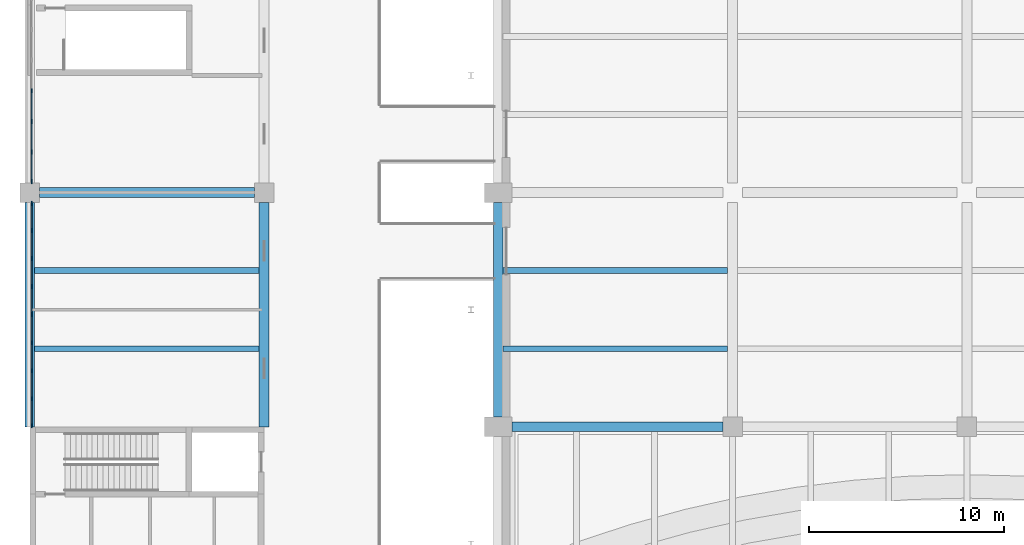
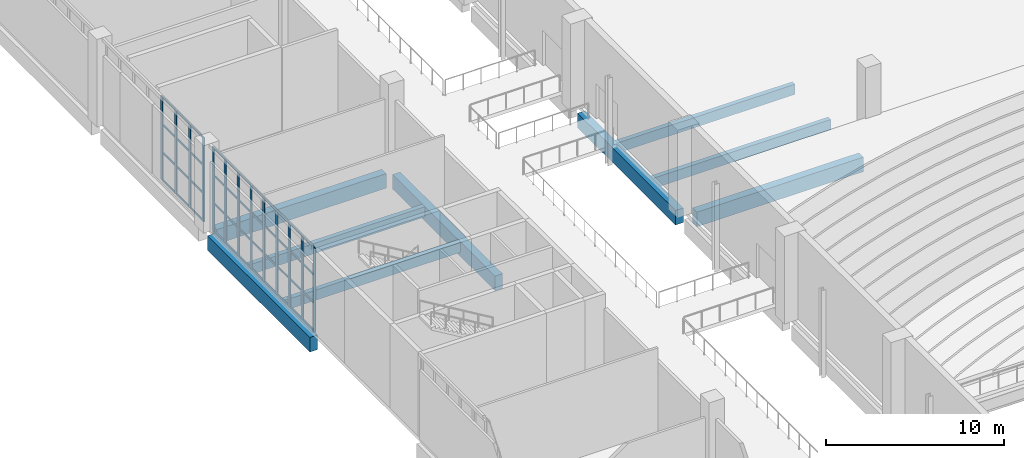
# One storey, part 27 of 72: 57 members, 9 beams, 2 elements without a shape of their own.
"""IFC4 building model written with IfcOpenShell, lengths in metres."""

from ifc_helpers import new_model, si_unit, direction, frame, origin, origin_2d, place, context, subcontext, project, spatial, rectangle, extrude, material, layer, layer_set, material_profile, profile_set, type_object, element, aggregate, save


model = new_model("IFC4")

# Units and contexts
model_context = context("Model", 3, precision=1e-05, world=origin(), true_north=direction((0.0, 1.0)))
body_context = subcontext(model_context, "Body", "Model", "MODEL_VIEW")
ifc_project = project(units=[si_unit("LENGTHUNIT", "METRE"), si_unit("AREAUNIT", "SQUARE_METRE"), si_unit("VOLUMEUNIT", "CUBIC_METRE"), si_unit("PLANEANGLEUNIT", "RADIAN"), si_unit("MASSUNIT", "GRAM", prefix="KILO")], contexts=[model_context])

# Site, building, storey
site_placement = place(None, origin())
site = spatial("IfcSite", under=ifc_project, at=site_placement, CompositionType="ELEMENT")
building_placement = place(site_placement, origin())
building = spatial("IfcBuilding", under=site, at=building_placement, Name="Lilac Gate Convention Centre", CompositionType="ELEMENT")
storey_placement = place(building_placement, frame((0.0, 0.0, 6.0)))
storey = spatial("IfcBuildingStorey", under=building, at=storey_placement, Name="L01", CompositionType="ELEMENT", Elevation=6.0)

# Curtain wall, members
ifc_material_1 = material(Name="Aluminium framed double glazing", Category="aluminium")
ifc_layer = layer(ifc_material_1, 0.199951171875)
ifc_layer_set = layer_set([ifc_layer], Name="Aluminium framed double glazing")
curtain_wall_type = type_object("IfcCurtainWallType", Name="Unitised curtain wall 1500", PredefinedType="NOTDEFINED", material=ifc_layer_set)
curtain_wall_1_placement = place(storey_placement, origin())
curtain_wall_1 = element("IfcCurtainWall", 1, at=curtain_wall_1_placement, inside=storey, type_object=curtain_wall_type, Name="Curtain wall PW L01 3", PredefinedType="NOTDEFINED")
ifc_material_2 = material(Name="Aluminium alloy 6063", Category="aluminium")
ifc_material_profile_1 = material_profile(ifc_material_2, rectangle(XDim=0.06005859375, YDim=0.219970703125, at=origin_2d()), Name="Curtain wall mullion 60 x 220")
ifc_profile_set_1 = profile_set([ifc_material_profile_1], Name="Aluminium alloy 6063")
member_type_1 = type_object("IfcMemberType", Name="Curtain wall mullion 60 x 220", PredefinedType="MULLION", material=ifc_profile_set_1)
member_1_placement = place(storey_placement, frame((6.10009765625, 179.21435546875, 0.0), z_axis=(0.0, 0.0, 1.0), x_axis=(1.0, 0.0, 0.0)))
member_1 = element("IfcMember", 2, at=member_1_placement, type_object=member_type_1, Name="CW mullion 5", PredefinedType="MULLION", context=body_context, shape_type="SweptSolid", body=[
    extrude(rectangle(XDim=0.06005859375, YDim=0.219970703125, at=origin_2d()), origin(), (0.0, 0.0, 1.0), 5.75),
])
member_2_placement = place(storey_placement, frame((6.10009765625, 177.642822265625, 0.0), z_axis=(0.0, 0.0, 1.0), x_axis=(1.0, 0.0, 0.0)))
member_2 = element("IfcMember", 3, at=member_2_placement, type_object=member_type_1, Name="CW mullion 6", PredefinedType="MULLION", context=body_context, shape_type="SweptSolid", body=[
    extrude(rectangle(XDim=0.06005859375, YDim=0.219970703125, at=origin_2d()), origin(), (0.0, 0.0, 1.0), 5.75),
])
member_3_placement = place(storey_placement, frame((6.10009765625, 176.071533203125, 0.0), z_axis=(0.0, 0.0, 1.0), x_axis=(1.0, 0.0, 0.0)))
member_3 = element("IfcMember", 4, at=member_3_placement, type_object=member_type_1, Name="CW mullion 7", PredefinedType="MULLION", context=body_context, shape_type="SweptSolid", body=[
    extrude(rectangle(XDim=0.06005859375, YDim=0.219970703125, at=origin_2d()), origin(), (0.0, 0.0, 1.0), 5.75),
])
member_4_placement = place(storey_placement, frame((6.10009765625, 174.56005859375, 0.0), z_axis=(0.0, 0.0, 1.0), x_axis=(1.0, 0.0, 0.0)))
member_4 = element("IfcMember", 5, at=member_4_placement, type_object=member_type_1, Name="CW mullion 8", PredefinedType="MULLION", context=body_context, shape_type="SweptSolid", body=[
    extrude(rectangle(XDim=0.06005859375, YDim=0.219970703125, at=origin_2d()), origin(), (0.0, 0.0, 1.0), 5.75),
])

curtain_wall_2_placement = place(storey_placement, origin())
curtain_wall_2 = element("IfcCurtainWall", 6, at=curtain_wall_2_placement, inside=storey, type_object=curtain_wall_type, Name="Curtain wall PW L01 4", PredefinedType="NOTDEFINED")
member_5_placement = place(storey_placement, frame((6.10009765625, 173.43994140625, 0.0), z_axis=(0.0, 0.0, 1.0), x_axis=(1.0, 0.0, 0.0)))
member_5 = element("IfcMember", 7, at=member_5_placement, type_object=member_type_1, Name="CW mullion 1", PredefinedType="MULLION", context=body_context, shape_type="SweptSolid", body=[
    extrude(rectangle(XDim=0.06005859375, YDim=0.219970703125, at=origin_2d()), origin(), (0.0, 0.0, 1.0), 5.75),
])
member_6_placement = place(storey_placement, frame((6.10009765625, 172.0625, 0.0), z_axis=(0.0, 0.0, 1.0), x_axis=(1.0, 0.0, 0.0)))
member_6 = element("IfcMember", 8, at=member_6_placement, type_object=member_type_1, Name="CW mullion 2", PredefinedType="MULLION", context=body_context, shape_type="SweptSolid", body=[
    extrude(rectangle(XDim=0.06005859375, YDim=0.219970703125, at=origin_2d()), origin(), (0.0, 0.0, 1.0), 5.75),
])
member_7_placement = place(storey_placement, frame((6.10009765625, 170.625, 0.0), z_axis=(0.0, 0.0, 1.0), x_axis=(1.0, 0.0, 0.0)))
member_7 = element("IfcMember", 9, at=member_7_placement, type_object=member_type_1, Name="CW mullion 3", PredefinedType="MULLION", context=body_context, shape_type="SweptSolid", body=[
    extrude(rectangle(XDim=0.06005859375, YDim=0.219970703125, at=origin_2d()), origin(), (0.0, 0.0, 1.0), 5.75),
])
member_8_placement = place(storey_placement, frame((6.10009765625, 169.1875, 0.0), z_axis=(0.0, 0.0, 1.0), x_axis=(1.0, 0.0, 0.0)))
member_8 = element("IfcMember", 10, at=member_8_placement, type_object=member_type_1, Name="CW mullion 4", PredefinedType="MULLION", context=body_context, shape_type="SweptSolid", body=[
    extrude(rectangle(XDim=0.06005859375, YDim=0.219970703125, at=origin_2d()), origin(), (0.0, 0.0, 1.0), 5.75),
])
member_9_placement = place(storey_placement, frame((6.10009765625, 167.75, 0.0), z_axis=(0.0, 0.0, 1.0), x_axis=(1.0, 0.0, 0.0)))
member_9 = element("IfcMember", 11, at=member_9_placement, type_object=member_type_1, Name="CW mullion 5", PredefinedType="MULLION", context=body_context, shape_type="SweptSolid", body=[
    extrude(rectangle(XDim=0.06005859375, YDim=0.219970703125, at=origin_2d()), origin(), (0.0, 0.0, 1.0), 5.75),
])
member_10_placement = place(storey_placement, frame((6.10009765625, 166.3125, 0.0), z_axis=(0.0, 0.0, 1.0), x_axis=(1.0, 0.0, 0.0)))
member_10 = element("IfcMember", 12, at=member_10_placement, type_object=member_type_1, Name="CW mullion 6", PredefinedType="MULLION", context=body_context, shape_type="SweptSolid", body=[
    extrude(rectangle(XDim=0.06005859375, YDim=0.219970703125, at=origin_2d()), origin(), (0.0, 0.0, 1.0), 5.75),
])
member_11_placement = place(storey_placement, frame((6.10009765625, 164.875, 0.0), z_axis=(0.0, 0.0, 1.0), x_axis=(1.0, 0.0, 0.0)))
member_11 = element("IfcMember", 13, at=member_11_placement, type_object=member_type_1, Name="CW mullion 7", PredefinedType="MULLION", context=body_context, shape_type="SweptSolid", body=[
    extrude(rectangle(XDim=0.06005859375, YDim=0.219970703125, at=origin_2d()), origin(), (0.0, 0.0, 1.0), 5.75),
])
member_12_placement = place(storey_placement, frame((6.10009765625, 163.4375, 0.0), z_axis=(0.0, 0.0, 1.0), x_axis=(1.0, 0.0, 0.0)))
member_12 = element("IfcMember", 14, at=member_12_placement, type_object=member_type_1, Name="CW mullion 8", PredefinedType="MULLION", context=body_context, shape_type="SweptSolid", body=[
    extrude(rectangle(XDim=0.06005859375, YDim=0.219970703125, at=origin_2d()), origin(), (0.0, 0.0, 1.0), 5.75),
])
member_13_placement = place(storey_placement, frame((6.10009765625, 162.06005859375, 0.0), z_axis=(0.0, 0.0, 1.0), x_axis=(1.0, 0.0, 0.0)))
member_13 = element("IfcMember", 15, at=member_13_placement, type_object=member_type_1, Name="CW mullion 9", PredefinedType="MULLION", context=body_context, shape_type="SweptSolid", body=[
    extrude(rectangle(XDim=0.06005859375, YDim=0.219970703125, at=origin_2d()), origin(), (0.0, 0.0, 1.0), 5.75),
])

# Member
ifc_material_profile_2 = material_profile(ifc_material_2, rectangle(XDim=0.06005859375, YDim=0.1201171875, at=origin_2d()), Name="Curtain wall transom 60 x 120")
ifc_profile_set_2 = profile_set([ifc_material_profile_2], Name="Aluminium alloy 6063")
member_type_2 = type_object("IfcMemberType", Name="Curtain wall transom 60 x 120", PredefinedType="USERDEFINED", material=ifc_profile_set_2)
member_14_placement = place(storey_placement, frame((6.10009765625, 179.184326171875, 0.030029296875), z_axis=(0.0, -1.0, 0.0), x_axis=(1.0, 0.0, 0.0)))
member_14 = element("IfcMember", 16, at=member_14_placement, type_object=member_type_2, Name="CW transom 5.1", ObjectType="TRANSOM", PredefinedType="USERDEFINED", context=body_context, shape_type="SweptSolid", body=[
    extrude(rectangle(XDim=0.06005859375, YDim=0.1201171875, at=origin_2d()), origin(), (0.0, 0.0, 1.0), 1.511474609375),
])

member_15_placement = place(storey_placement, frame((6.10009765625, 179.184326171875, 1.916748046875), z_axis=(0.0, -1.0, 0.0), x_axis=(1.0, 0.0, 0.0)))
member_15 = element("IfcMember", 17, at=member_15_placement, type_object=member_type_2, Name="CW transom 5.2", ObjectType="TRANSOM", PredefinedType="USERDEFINED", context=body_context, shape_type="SweptSolid", body=[
    extrude(rectangle(XDim=0.06005859375, YDim=0.1201171875, at=origin_2d()), origin(), (0.0, 0.0, 1.0), 1.511474609375),
])

member_16_placement = place(storey_placement, frame((6.10009765625, 179.184326171875, 3.833251953125), z_axis=(0.0, -1.0, 0.0), x_axis=(1.0, 0.0, 0.0)))
member_16 = element("IfcMember", 18, at=member_16_placement, type_object=member_type_2, Name="CW transom 5.3", ObjectType="TRANSOM", PredefinedType="USERDEFINED", context=body_context, shape_type="SweptSolid", body=[
    extrude(rectangle(XDim=0.06005859375, YDim=0.1201171875, at=origin_2d()), origin(), (0.0, 0.0, 1.0), 1.511474609375),
])

member_17_placement = place(storey_placement, frame((6.10009765625, 179.184326171875, 5.719970703125), z_axis=(0.0, -1.0, 0.0), x_axis=(1.0, 0.0, 0.0)))
member_17 = element("IfcMember", 19, at=member_17_placement, type_object=member_type_2, Name="CW transom 5.4", ObjectType="TRANSOM", PredefinedType="USERDEFINED", context=body_context, shape_type="SweptSolid", body=[
    extrude(rectangle(XDim=0.06005859375, YDim=0.1201171875, at=origin_2d()), origin(), (0.0, 0.0, 1.0), 1.511474609375),
])

member_18_placement = place(storey_placement, frame((6.10009765625, 177.61279296875, 0.030029296875), z_axis=(0.0, -1.0, 0.0), x_axis=(1.0, 0.0, 0.0)))
member_18 = element("IfcMember", 20, at=member_18_placement, type_object=member_type_2, Name="CW transom 6.1", ObjectType="TRANSOM", PredefinedType="USERDEFINED", context=body_context, shape_type="SweptSolid", body=[
    extrude(rectangle(XDim=0.06005859375, YDim=0.1201171875, at=origin_2d()), origin(), (0.0, 0.0, 1.0), 1.511474609375),
])

member_19_placement = place(storey_placement, frame((6.10009765625, 177.61279296875, 1.916748046875), z_axis=(0.0, -1.0, 0.0), x_axis=(1.0, 0.0, 0.0)))
member_19 = element("IfcMember", 21, at=member_19_placement, type_object=member_type_2, Name="CW transom 6.2", ObjectType="TRANSOM", PredefinedType="USERDEFINED", context=body_context, shape_type="SweptSolid", body=[
    extrude(rectangle(XDim=0.06005859375, YDim=0.1201171875, at=origin_2d()), origin(), (0.0, 0.0, 1.0), 1.511474609375),
])

member_20_placement = place(storey_placement, frame((6.10009765625, 177.61279296875, 3.833251953125), z_axis=(0.0, -1.0, 0.0), x_axis=(1.0, 0.0, 0.0)))
member_20 = element("IfcMember", 22, at=member_20_placement, type_object=member_type_2, Name="CW transom 6.3", ObjectType="TRANSOM", PredefinedType="USERDEFINED", context=body_context, shape_type="SweptSolid", body=[
    extrude(rectangle(XDim=0.06005859375, YDim=0.1201171875, at=origin_2d()), origin(), (0.0, 0.0, 1.0), 1.511474609375),
])

member_21_placement = place(storey_placement, frame((6.10009765625, 177.61279296875, 5.719970703125), z_axis=(0.0, -1.0, 0.0), x_axis=(1.0, 0.0, 0.0)))
member_21 = element("IfcMember", 23, at=member_21_placement, type_object=member_type_2, Name="CW transom 6.4", ObjectType="TRANSOM", PredefinedType="USERDEFINED", context=body_context, shape_type="SweptSolid", body=[
    extrude(rectangle(XDim=0.06005859375, YDim=0.1201171875, at=origin_2d()), origin(), (0.0, 0.0, 1.0), 1.511474609375),
])

member_22_placement = place(storey_placement, frame((6.10009765625, 176.04150390625, 0.030029296875), z_axis=(0.0, -1.0, 0.0), x_axis=(1.0, 0.0, 0.0)))
member_22 = element("IfcMember", 24, at=member_22_placement, type_object=member_type_2, Name="CW transom 7.1", ObjectType="TRANSOM", PredefinedType="USERDEFINED", context=body_context, shape_type="SweptSolid", body=[
    extrude(rectangle(XDim=0.06005859375, YDim=0.1201171875, at=origin_2d()), origin(), (0.0, 0.0, 1.0), 1.4814453125),
])

member_23_placement = place(storey_placement, frame((6.10009765625, 176.04150390625, 1.916748046875), z_axis=(0.0, -1.0, 0.0), x_axis=(1.0, 0.0, 0.0)))
member_23 = element("IfcMember", 25, at=member_23_placement, type_object=member_type_2, Name="CW transom 7.2", ObjectType="TRANSOM", PredefinedType="USERDEFINED", context=body_context, shape_type="SweptSolid", body=[
    extrude(rectangle(XDim=0.06005859375, YDim=0.1201171875, at=origin_2d()), origin(), (0.0, 0.0, 1.0), 1.4814453125),
])

member_24_placement = place(storey_placement, frame((6.10009765625, 176.04150390625, 3.833251953125), z_axis=(0.0, -1.0, 0.0), x_axis=(1.0, 0.0, 0.0)))
member_24 = element("IfcMember", 26, at=member_24_placement, type_object=member_type_2, Name="CW transom 7.3", ObjectType="TRANSOM", PredefinedType="USERDEFINED", context=body_context, shape_type="SweptSolid", body=[
    extrude(rectangle(XDim=0.06005859375, YDim=0.1201171875, at=origin_2d()), origin(), (0.0, 0.0, 1.0), 1.4814453125),
])

member_25_placement = place(storey_placement, frame((6.10009765625, 176.04150390625, 5.719970703125), z_axis=(0.0, -1.0, 0.0), x_axis=(1.0, 0.0, 0.0)))
member_25 = element("IfcMember", 27, at=member_25_placement, type_object=member_type_2, Name="CW transom 7.4", ObjectType="TRANSOM", PredefinedType="USERDEFINED", context=body_context, shape_type="SweptSolid", body=[
    extrude(rectangle(XDim=0.06005859375, YDim=0.1201171875, at=origin_2d()), origin(), (0.0, 0.0, 1.0), 1.4814453125),
])

aggregate(curtain_wall_1, [member_1, member_2, member_3, member_4, member_14, member_15, member_16, member_17, member_18, member_19, member_20, member_21, member_22, member_23, member_24, member_25])

member_26_placement = place(storey_placement, frame((6.10009765625, 173.43994140625, 0.030029296875), z_axis=(0.0, -1.0, 0.0), x_axis=(1.0, 0.0, 0.0)))
member_26 = element("IfcMember", 28, at=member_26_placement, type_object=member_type_2, Name="CW transom 1.1", ObjectType="TRANSOM", PredefinedType="USERDEFINED", context=body_context, shape_type="SweptSolid", body=[
    extrude(rectangle(XDim=0.06005859375, YDim=0.1201171875, at=origin_2d()), origin(), (0.0, 0.0, 1.0), 1.347412109375),
])

member_27_placement = place(storey_placement, frame((6.10009765625, 173.43994140625, 1.916748046875), z_axis=(0.0, -1.0, 0.0), x_axis=(1.0, 0.0, 0.0)))
member_27 = element("IfcMember", 29, at=member_27_placement, type_object=member_type_2, Name="CW transom 1.2", ObjectType="TRANSOM", PredefinedType="USERDEFINED", context=body_context, shape_type="SweptSolid", body=[
    extrude(rectangle(XDim=0.06005859375, YDim=0.1201171875, at=origin_2d()), origin(), (0.0, 0.0, 1.0), 1.347412109375),
])

member_28_placement = place(storey_placement, frame((6.10009765625, 173.43994140625, 3.833251953125), z_axis=(0.0, -1.0, 0.0), x_axis=(1.0, 0.0, 0.0)))
member_28 = element("IfcMember", 30, at=member_28_placement, type_object=member_type_2, Name="CW transom 1.3", ObjectType="TRANSOM", PredefinedType="USERDEFINED", context=body_context, shape_type="SweptSolid", body=[
    extrude(rectangle(XDim=0.06005859375, YDim=0.1201171875, at=origin_2d()), origin(), (0.0, 0.0, 1.0), 1.347412109375),
])

member_29_placement = place(storey_placement, frame((6.10009765625, 173.43994140625, 5.719970703125), z_axis=(0.0, -1.0, 0.0), x_axis=(1.0, 0.0, 0.0)))
member_29 = element("IfcMember", 31, at=member_29_placement, type_object=member_type_2, Name="CW transom 1.4", ObjectType="TRANSOM", PredefinedType="USERDEFINED", context=body_context, shape_type="SweptSolid", body=[
    extrude(rectangle(XDim=0.06005859375, YDim=0.1201171875, at=origin_2d()), origin(), (0.0, 0.0, 1.0), 1.347412109375),
])

member_30_placement = place(storey_placement, frame((6.10009765625, 172.032470703125, 0.030029296875), z_axis=(0.0, -1.0, 0.0), x_axis=(1.0, 0.0, 0.0)))
member_30 = element("IfcMember", 32, at=member_30_placement, type_object=member_type_2, Name="CW transom 2.1", ObjectType="TRANSOM", PredefinedType="USERDEFINED", context=body_context, shape_type="SweptSolid", body=[
    extrude(rectangle(XDim=0.06005859375, YDim=0.1201171875, at=origin_2d()), origin(), (0.0, 0.0, 1.0), 1.37744140625),
])

member_31_placement = place(storey_placement, frame((6.10009765625, 172.032470703125, 1.916748046875), z_axis=(0.0, -1.0, 0.0), x_axis=(1.0, 0.0, 0.0)))
member_31 = element("IfcMember", 33, at=member_31_placement, type_object=member_type_2, Name="CW transom 2.2", ObjectType="TRANSOM", PredefinedType="USERDEFINED", context=body_context, shape_type="SweptSolid", body=[
    extrude(rectangle(XDim=0.06005859375, YDim=0.1201171875, at=origin_2d()), origin(), (0.0, 0.0, 1.0), 1.37744140625),
])

member_32_placement = place(storey_placement, frame((6.10009765625, 172.032470703125, 3.833251953125), z_axis=(0.0, -1.0, 0.0), x_axis=(1.0, 0.0, 0.0)))
member_32 = element("IfcMember", 34, at=member_32_placement, type_object=member_type_2, Name="CW transom 2.3", ObjectType="TRANSOM", PredefinedType="USERDEFINED", context=body_context, shape_type="SweptSolid", body=[
    extrude(rectangle(XDim=0.06005859375, YDim=0.1201171875, at=origin_2d()), origin(), (0.0, 0.0, 1.0), 1.37744140625),
])

member_33_placement = place(storey_placement, frame((6.10009765625, 172.032470703125, 5.719970703125), z_axis=(0.0, -1.0, 0.0), x_axis=(1.0, 0.0, 0.0)))
member_33 = element("IfcMember", 35, at=member_33_placement, type_object=member_type_2, Name="CW transom 2.4", ObjectType="TRANSOM", PredefinedType="USERDEFINED", context=body_context, shape_type="SweptSolid", body=[
    extrude(rectangle(XDim=0.06005859375, YDim=0.1201171875, at=origin_2d()), origin(), (0.0, 0.0, 1.0), 1.37744140625),
])

member_34_placement = place(storey_placement, frame((6.10009765625, 170.594970703125, 0.030029296875), z_axis=(0.0, -1.0, 0.0), x_axis=(1.0, 0.0, 0.0)))
member_34 = element("IfcMember", 36, at=member_34_placement, type_object=member_type_2, Name="CW transom 3.1", ObjectType="TRANSOM", PredefinedType="USERDEFINED", context=body_context, shape_type="SweptSolid", body=[
    extrude(rectangle(XDim=0.06005859375, YDim=0.1201171875, at=origin_2d()), origin(), (0.0, 0.0, 1.0), 1.37744140625),
])

member_35_placement = place(storey_placement, frame((6.10009765625, 170.594970703125, 1.916748046875), z_axis=(0.0, -1.0, 0.0), x_axis=(1.0, 0.0, 0.0)))
member_35 = element("IfcMember", 37, at=member_35_placement, type_object=member_type_2, Name="CW transom 3.2", ObjectType="TRANSOM", PredefinedType="USERDEFINED", context=body_context, shape_type="SweptSolid", body=[
    extrude(rectangle(XDim=0.06005859375, YDim=0.1201171875, at=origin_2d()), origin(), (0.0, 0.0, 1.0), 1.37744140625),
])

member_36_placement = place(storey_placement, frame((6.10009765625, 170.594970703125, 3.833251953125), z_axis=(0.0, -1.0, 0.0), x_axis=(1.0, 0.0, 0.0)))
member_36 = element("IfcMember", 38, at=member_36_placement, type_object=member_type_2, Name="CW transom 3.3", ObjectType="TRANSOM", PredefinedType="USERDEFINED", context=body_context, shape_type="SweptSolid", body=[
    extrude(rectangle(XDim=0.06005859375, YDim=0.1201171875, at=origin_2d()), origin(), (0.0, 0.0, 1.0), 1.37744140625),
])

member_37_placement = place(storey_placement, frame((6.10009765625, 170.594970703125, 5.719970703125), z_axis=(0.0, -1.0, 0.0), x_axis=(1.0, 0.0, 0.0)))
member_37 = element("IfcMember", 39, at=member_37_placement, type_object=member_type_2, Name="CW transom 3.4", ObjectType="TRANSOM", PredefinedType="USERDEFINED", context=body_context, shape_type="SweptSolid", body=[
    extrude(rectangle(XDim=0.06005859375, YDim=0.1201171875, at=origin_2d()), origin(), (0.0, 0.0, 1.0), 1.37744140625),
])

member_38_placement = place(storey_placement, frame((6.10009765625, 169.157470703125, 0.030029296875), z_axis=(0.0, -1.0, 0.0), x_axis=(1.0, 0.0, 0.0)))
member_38 = element("IfcMember", 40, at=member_38_placement, type_object=member_type_2, Name="CW transom 4.1", ObjectType="TRANSOM", PredefinedType="USERDEFINED", context=body_context, shape_type="SweptSolid", body=[
    extrude(rectangle(XDim=0.06005859375, YDim=0.1201171875, at=origin_2d()), origin(), (0.0, 0.0, 1.0), 1.37744140625),
])

member_39_placement = place(storey_placement, frame((6.10009765625, 169.157470703125, 1.916748046875), z_axis=(0.0, -1.0, 0.0), x_axis=(1.0, 0.0, 0.0)))
member_39 = element("IfcMember", 41, at=member_39_placement, type_object=member_type_2, Name="CW transom 4.2", ObjectType="TRANSOM", PredefinedType="USERDEFINED", context=body_context, shape_type="SweptSolid", body=[
    extrude(rectangle(XDim=0.06005859375, YDim=0.1201171875, at=origin_2d()), origin(), (0.0, 0.0, 1.0), 1.37744140625),
])

member_40_placement = place(storey_placement, frame((6.10009765625, 169.157470703125, 3.833251953125), z_axis=(0.0, -1.0, 0.0), x_axis=(1.0, 0.0, 0.0)))
member_40 = element("IfcMember", 42, at=member_40_placement, type_object=member_type_2, Name="CW transom 4.3", ObjectType="TRANSOM", PredefinedType="USERDEFINED", context=body_context, shape_type="SweptSolid", body=[
    extrude(rectangle(XDim=0.06005859375, YDim=0.1201171875, at=origin_2d()), origin(), (0.0, 0.0, 1.0), 1.37744140625),
])

member_41_placement = place(storey_placement, frame((6.10009765625, 169.157470703125, 5.719970703125), z_axis=(0.0, -1.0, 0.0), x_axis=(1.0, 0.0, 0.0)))
member_41 = element("IfcMember", 43, at=member_41_placement, type_object=member_type_2, Name="CW transom 4.4", ObjectType="TRANSOM", PredefinedType="USERDEFINED", context=body_context, shape_type="SweptSolid", body=[
    extrude(rectangle(XDim=0.06005859375, YDim=0.1201171875, at=origin_2d()), origin(), (0.0, 0.0, 1.0), 1.37744140625),
])

member_42_placement = place(storey_placement, frame((6.10009765625, 167.719970703125, 0.030029296875), z_axis=(0.0, -1.0, 0.0), x_axis=(1.0, 0.0, 0.0)))
member_42 = element("IfcMember", 44, at=member_42_placement, type_object=member_type_2, Name="CW transom 5.1", ObjectType="TRANSOM", PredefinedType="USERDEFINED", context=body_context, shape_type="SweptSolid", body=[
    extrude(rectangle(XDim=0.06005859375, YDim=0.1201171875, at=origin_2d()), origin(), (0.0, 0.0, 1.0), 1.37744140625),
])

member_43_placement = place(storey_placement, frame((6.10009765625, 167.719970703125, 1.916748046875), z_axis=(0.0, -1.0, 0.0), x_axis=(1.0, 0.0, 0.0)))
member_43 = element("IfcMember", 45, at=member_43_placement, type_object=member_type_2, Name="CW transom 5.2", ObjectType="TRANSOM", PredefinedType="USERDEFINED", context=body_context, shape_type="SweptSolid", body=[
    extrude(rectangle(XDim=0.06005859375, YDim=0.1201171875, at=origin_2d()), origin(), (0.0, 0.0, 1.0), 1.37744140625),
])

member_44_placement = place(storey_placement, frame((6.10009765625, 167.719970703125, 3.833251953125), z_axis=(0.0, -1.0, 0.0), x_axis=(1.0, 0.0, 0.0)))
member_44 = element("IfcMember", 46, at=member_44_placement, type_object=member_type_2, Name="CW transom 5.3", ObjectType="TRANSOM", PredefinedType="USERDEFINED", context=body_context, shape_type="SweptSolid", body=[
    extrude(rectangle(XDim=0.06005859375, YDim=0.1201171875, at=origin_2d()), origin(), (0.0, 0.0, 1.0), 1.37744140625),
])

member_45_placement = place(storey_placement, frame((6.10009765625, 167.719970703125, 5.719970703125), z_axis=(0.0, -1.0, 0.0), x_axis=(1.0, 0.0, 0.0)))
member_45 = element("IfcMember", 47, at=member_45_placement, type_object=member_type_2, Name="CW transom 5.4", ObjectType="TRANSOM", PredefinedType="USERDEFINED", context=body_context, shape_type="SweptSolid", body=[
    extrude(rectangle(XDim=0.06005859375, YDim=0.1201171875, at=origin_2d()), origin(), (0.0, 0.0, 1.0), 1.37744140625),
])

member_46_placement = place(storey_placement, frame((6.10009765625, 166.282470703125, 0.030029296875), z_axis=(0.0, -1.0, 0.0), x_axis=(1.0, 0.0, 0.0)))
member_46 = element("IfcMember", 48, at=member_46_placement, type_object=member_type_2, Name="CW transom 6.1", ObjectType="TRANSOM", PredefinedType="USERDEFINED", context=body_context, shape_type="SweptSolid", body=[
    extrude(rectangle(XDim=0.06005859375, YDim=0.1201171875, at=origin_2d()), origin(), (0.0, 0.0, 1.0), 1.37744140625),
])

member_47_placement = place(storey_placement, frame((6.10009765625, 166.282470703125, 1.916748046875), z_axis=(0.0, -1.0, 0.0), x_axis=(1.0, 0.0, 0.0)))
member_47 = element("IfcMember", 49, at=member_47_placement, type_object=member_type_2, Name="CW transom 6.2", ObjectType="TRANSOM", PredefinedType="USERDEFINED", context=body_context, shape_type="SweptSolid", body=[
    extrude(rectangle(XDim=0.06005859375, YDim=0.1201171875, at=origin_2d()), origin(), (0.0, 0.0, 1.0), 1.37744140625),
])

member_48_placement = place(storey_placement, frame((6.10009765625, 166.282470703125, 3.833251953125), z_axis=(0.0, -1.0, 0.0), x_axis=(1.0, 0.0, 0.0)))
member_48 = element("IfcMember", 50, at=member_48_placement, type_object=member_type_2, Name="CW transom 6.3", ObjectType="TRANSOM", PredefinedType="USERDEFINED", context=body_context, shape_type="SweptSolid", body=[
    extrude(rectangle(XDim=0.06005859375, YDim=0.1201171875, at=origin_2d()), origin(), (0.0, 0.0, 1.0), 1.37744140625),
])

member_49_placement = place(storey_placement, frame((6.10009765625, 166.282470703125, 5.719970703125), z_axis=(0.0, -1.0, 0.0), x_axis=(1.0, 0.0, 0.0)))
member_49 = element("IfcMember", 51, at=member_49_placement, type_object=member_type_2, Name="CW transom 6.4", ObjectType="TRANSOM", PredefinedType="USERDEFINED", context=body_context, shape_type="SweptSolid", body=[
    extrude(rectangle(XDim=0.06005859375, YDim=0.1201171875, at=origin_2d()), origin(), (0.0, 0.0, 1.0), 1.37744140625),
])

member_50_placement = place(storey_placement, frame((6.10009765625, 164.844970703125, 0.030029296875), z_axis=(0.0, -1.0, 0.0), x_axis=(1.0, 0.0, 0.0)))
member_50 = element("IfcMember", 52, at=member_50_placement, type_object=member_type_2, Name="CW transom 7.1", ObjectType="TRANSOM", PredefinedType="USERDEFINED", context=body_context, shape_type="SweptSolid", body=[
    extrude(rectangle(XDim=0.06005859375, YDim=0.1201171875, at=origin_2d()), origin(), (0.0, 0.0, 1.0), 1.37744140625),
])

member_51_placement = place(storey_placement, frame((6.10009765625, 164.844970703125, 1.916748046875), z_axis=(0.0, -1.0, 0.0), x_axis=(1.0, 0.0, 0.0)))
member_51 = element("IfcMember", 53, at=member_51_placement, type_object=member_type_2, Name="CW transom 7.2", ObjectType="TRANSOM", PredefinedType="USERDEFINED", context=body_context, shape_type="SweptSolid", body=[
    extrude(rectangle(XDim=0.06005859375, YDim=0.1201171875, at=origin_2d()), origin(), (0.0, 0.0, 1.0), 1.37744140625),
])

member_52_placement = place(storey_placement, frame((6.10009765625, 164.844970703125, 3.833251953125), z_axis=(0.0, -1.0, 0.0), x_axis=(1.0, 0.0, 0.0)))
member_52 = element("IfcMember", 54, at=member_52_placement, type_object=member_type_2, Name="CW transom 7.3", ObjectType="TRANSOM", PredefinedType="USERDEFINED", context=body_context, shape_type="SweptSolid", body=[
    extrude(rectangle(XDim=0.06005859375, YDim=0.1201171875, at=origin_2d()), origin(), (0.0, 0.0, 1.0), 1.37744140625),
])

member_53_placement = place(storey_placement, frame((6.10009765625, 164.844970703125, 5.719970703125), z_axis=(0.0, -1.0, 0.0), x_axis=(1.0, 0.0, 0.0)))
member_53 = element("IfcMember", 55, at=member_53_placement, type_object=member_type_2, Name="CW transom 7.4", ObjectType="TRANSOM", PredefinedType="USERDEFINED", context=body_context, shape_type="SweptSolid", body=[
    extrude(rectangle(XDim=0.06005859375, YDim=0.1201171875, at=origin_2d()), origin(), (0.0, 0.0, 1.0), 1.37744140625),
])

member_54_placement = place(storey_placement, frame((6.10009765625, 163.407470703125, 0.030029296875), z_axis=(0.0, -1.0, 0.0), x_axis=(1.0, 0.0, 0.0)))
member_54 = element("IfcMember", 56, at=member_54_placement, type_object=member_type_2, Name="CW transom 8.1", ObjectType="TRANSOM", PredefinedType="USERDEFINED", context=body_context, shape_type="SweptSolid", body=[
    extrude(rectangle(XDim=0.06005859375, YDim=0.1201171875, at=origin_2d()), origin(), (0.0, 0.0, 1.0), 1.347412109375),
])

member_55_placement = place(storey_placement, frame((6.10009765625, 163.407470703125, 1.916748046875), z_axis=(0.0, -1.0, 0.0), x_axis=(1.0, 0.0, 0.0)))
member_55 = element("IfcMember", 57, at=member_55_placement, type_object=member_type_2, Name="CW transom 8.2", ObjectType="TRANSOM", PredefinedType="USERDEFINED", context=body_context, shape_type="SweptSolid", body=[
    extrude(rectangle(XDim=0.06005859375, YDim=0.1201171875, at=origin_2d()), origin(), (0.0, 0.0, 1.0), 1.347412109375),
])

member_56_placement = place(storey_placement, frame((6.10009765625, 163.407470703125, 3.833251953125), z_axis=(0.0, -1.0, 0.0), x_axis=(1.0, 0.0, 0.0)))
member_56 = element("IfcMember", 58, at=member_56_placement, type_object=member_type_2, Name="CW transom 8.3", ObjectType="TRANSOM", PredefinedType="USERDEFINED", context=body_context, shape_type="SweptSolid", body=[
    extrude(rectangle(XDim=0.06005859375, YDim=0.1201171875, at=origin_2d()), origin(), (0.0, 0.0, 1.0), 1.347412109375),
])

member_57_placement = place(storey_placement, frame((6.10009765625, 163.407470703125, 5.719970703125), z_axis=(0.0, -1.0, 0.0), x_axis=(1.0, 0.0, 0.0)))
member_57 = element("IfcMember", 59, at=member_57_placement, type_object=member_type_2, Name="CW transom 8.4", ObjectType="TRANSOM", PredefinedType="USERDEFINED", context=body_context, shape_type="SweptSolid", body=[
    extrude(rectangle(XDim=0.06005859375, YDim=0.1201171875, at=origin_2d()), origin(), (0.0, 0.0, 1.0), 1.347412109375),
])

aggregate(curtain_wall_2, [member_5, member_6, member_7, member_8, member_9, member_10, member_11, member_12, member_13, member_26, member_27, member_28, member_29, member_30, member_31, member_32, member_33, member_34, member_35, member_36, member_37, member_38, member_39, member_40, member_41, member_42, member_43, member_44, member_45, member_46, member_47, member_48, member_49, member_50, member_51, member_52, member_53, member_54, member_55, member_56, member_57])

# Beams
ifc_material_3 = material(Name="Concrete C40", Category="concrete")
ifc_material_profile_3 = material_profile(ifc_material_3, rectangle(XDim=0.5, YDim=1.0, at=origin_2d()), Name="RC 500x1000")
ifc_profile_set_3 = profile_set([ifc_material_profile_3], Name="Concrete C40")
beam_type_1 = type_object("IfcBeamType", Name="Primary beam 500x1000 C40", PredefinedType="BEAM", material=ifc_profile_set_3)
beam_1_placement = place(storey_placement, frame((30.699951171875, 162.0, -0.75), z_axis=(1.0, 0.0, 0.0), x_axis=(0.0, 1.0, 0.0)))
element("IfcBeam", 60, at=beam_1_placement, inside=storey, type_object=beam_type_1, Name="RB1 L01 3/M-4/M", PredefinedType="BEAM", context=body_context, shape_type="SweptSolid", body=[
    extrude(rectangle(XDim=0.5, YDim=1.0, at=origin_2d()), origin(), (0.0, 0.0, 1.0), 10.800048828125),
])
beam_2_placement = place(storey_placement, frame((6.5, 174.0, -0.75), z_axis=(1.0, 0.0, 0.0), x_axis=(0.0, 1.0, 0.0)))
element("IfcBeam", 61, at=beam_2_placement, inside=storey, type_object=beam_type_1, Name="RB1 L01 1/N-2/N", PredefinedType="BEAM", context=body_context, shape_type="SweptSolid", body=[
    extrude(rectangle(XDim=0.5, YDim=1.0, at=origin_2d()), origin(), (0.0, 0.0, 1.0), 11.0),
])
for number, where, z_axis, x_axis, name in (
    (62, (6.0, 162.0, -0.75), (0.0, 1.0, 0.0), (-1.0, 0.0, 0.0), "RB1 L01 1/M-1/N"),
    (63, (18.0, 162.0, -0.75), (0.0, 1.0, 0.0), (-1.0, 0.0, 0.0), "RB1 L01 2/M-2/N"),
):
    element("IfcBeam", number, at=place(storey_placement, frame(where, z_axis=z_axis, x_axis=x_axis)), inside=storey, type_object=beam_type_1, Name=name, PredefinedType="BEAM", context=body_context, shape_type="SweptSolid", body=[
        extrude(rectangle(XDim=0.5, YDim=1.0, at=origin_2d()), origin(), (0.0, 0.0, 1.0), 11.5),
    ])
beam_3_placement = place(storey_placement, frame((30.0, 162.5, -0.75), z_axis=(0.0, 1.0, 0.0), x_axis=(-1.0, 0.0, 0.0)))
element("IfcBeam", 64, at=beam_3_placement, inside=storey, type_object=beam_type_1, Name="RB1 L01 3/M-3/N", PredefinedType="BEAM", context=body_context, shape_type="SweptSolid", body=[
    extrude(rectangle(XDim=0.5, YDim=1.0, at=origin_2d()), origin(), (0.0, 0.0, 1.0), 11.0),
])
ifc_material_profile_4 = material_profile(ifc_material_3, rectangle(XDim=0.300048828125, YDim=0.699951171875, at=origin_2d()), Name="RC 300x700")
ifc_profile_set_4 = profile_set([ifc_material_profile_4], Name="Concrete C40")
beam_type_2 = type_object("IfcBeamType", Name="Secondary beam 300x700 C40", PredefinedType="BEAM", material=ifc_profile_set_4)
for number, where, z_axis, x_axis, name in (
    (65, (6.25, 166.0, -0.60009765625), (1.0, 0.0, 0.0), (0.0, 1.0, 0.0), "RB2 L01 bay 1/M"),
    (66, (6.25, 170.0, -0.60009765625), (1.0, 0.0, 0.0), (0.0, 1.0, 0.0), "RB2 L01 bay 1/M"),
    (67, (30.25, 166.0, -0.60009765625), (1.0, 0.0, 0.0), (0.0, 1.0, 0.0), "RB2 L01 bay 3/M"),
    (68, (30.25, 170.0, -0.60009765625), (1.0, 0.0, 0.0), (0.0, 1.0, 0.0), "RB2 L01 bay 3/M"),
):
    element("IfcBeam", number, at=place(storey_placement, frame(where, z_axis=z_axis, x_axis=x_axis)), inside=storey, type_object=beam_type_2, Name=name, PredefinedType="BEAM", context=body_context, shape_type="SweptSolid", body=[
        extrude(rectangle(XDim=0.300048828125, YDim=0.699951171875, at=origin_2d()), origin(), (0.0, 0.0, 1.0), 11.5),
    ])

save(model, "model.ifc")
